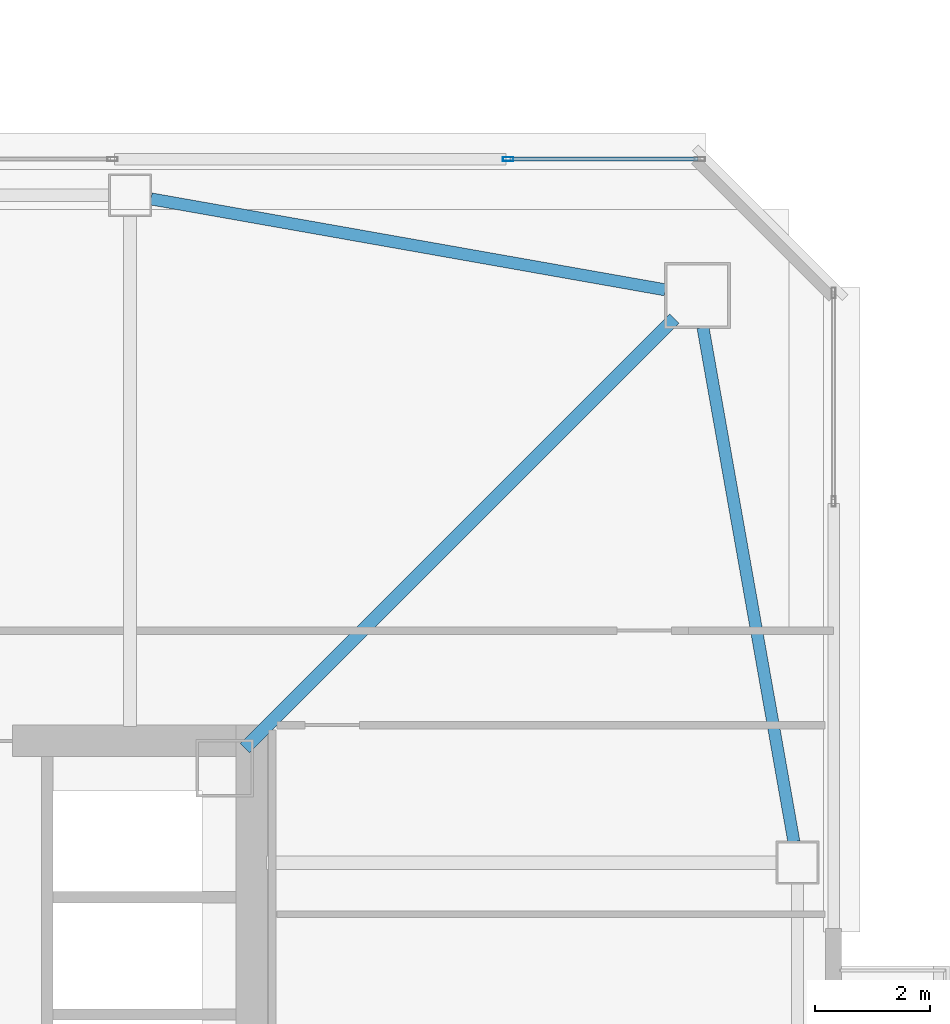
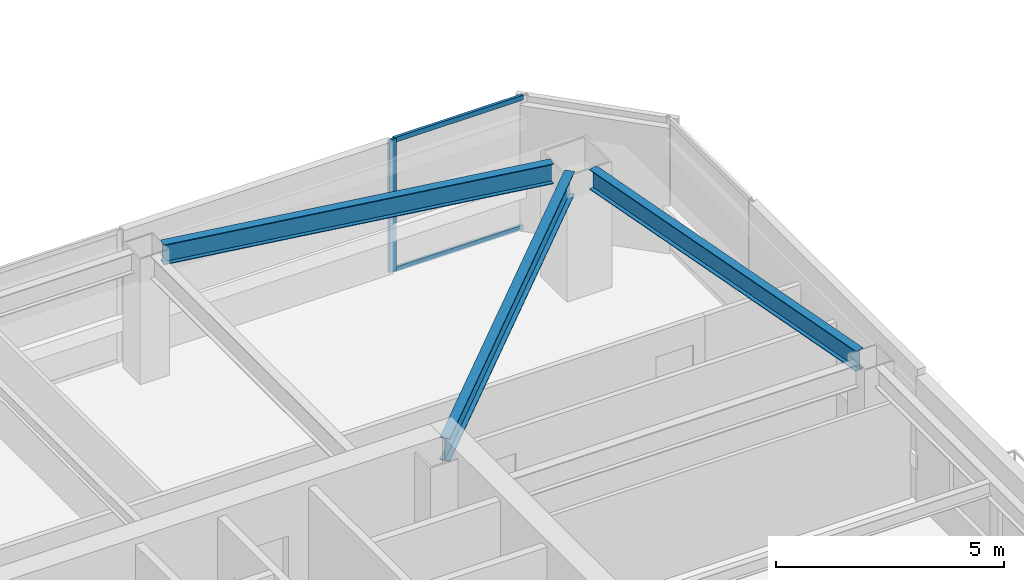
# One storey, part 13 of 41: 3 beams, 3 members, 1 element without a shape of its own.
"""IFC4 building model written with IfcOpenShell, lengths in metres."""

from ifc_helpers import new_model, si_unit, direction, frame, origin, origin_2d, place, context, subcontext, project, spatial, hollow_rectangle, i_section, extrude, material, material_profile, profile_set, type_object, element, aggregate, save


model = new_model("IFC4")

# Units and contexts
model_context = context("Model", 3, precision=1e-05, world=origin(), true_north=direction((0.0, 1.0)))
body_context = subcontext(model_context, "Body", "Model", "MODEL_VIEW")
ifc_project = project(units=[si_unit("LENGTHUNIT", "METRE"), si_unit("AREAUNIT", "SQUARE_METRE"), si_unit("VOLUMEUNIT", "CUBIC_METRE"), si_unit("PLANEANGLEUNIT", "RADIAN"), si_unit("MASSUNIT", "GRAM", prefix="KILO")], contexts=[model_context])

# Site, building, storey
site_placement = place(None, origin())
site = spatial("IfcSite", under=ifc_project, at=site_placement, CompositionType="ELEMENT")
building_placement = place(site_placement, origin())
building = spatial("IfcBuilding", under=site, at=building_placement, Name="Tashvorn Skyway Center", CompositionType="ELEMENT")
storey_placement = place(building_placement, frame((0.0, 0.0, 174.75)))
storey = spatial("IfcBuildingStorey", under=building, at=storey_placement, Name="L47", CompositionType="ELEMENT", Elevation=174.75)

# Beams
ifc_material_1 = material(Name="Steel ASTM A992 Grade 50", Category="steel")
ifc_material_profile_1 = material_profile(ifc_material_1, i_section(OverallWidth=0.22998046875, OverallDepth=0.616943359375, WebThickness=0.01318359375, FlangeThickness=0.022216796875, at=origin_2d()), Name="W24X94")
ifc_profile_set_1 = profile_set([ifc_material_profile_1], Name="Steel ASTM A992 Grade 50")
beam_type_1 = type_object("IfcBeamType", Name="BM-BEAM-W24X94", PredefinedType="BEAM", material=ifc_profile_set_1)
beam_placement = place(storey_placement, frame((56.89697265625, 46.89697265625, 3.0615234375), z_axis=(-0.707106781187, -0.707106781187, 0.0), x_axis=(0.707106781187, -0.707106781187, 0.0)))
element("IfcBeam", 1, at=beam_placement, inside=storey, type_object=beam_type_1, Name="Tower 1 L47 Primary Floor Girder MC-NE", PredefinedType="BEAM", context=body_context, shape_type="SweptSolid", body=[
    extrude(i_section(OverallWidth=0.22998046875, OverallDepth=0.616943359375, WebThickness=0.01318359375, FlangeThickness=0.022216796875, at=origin_2d()), origin(), (0.0, 0.0, 1.0), 10.6025390625),
])
ifc_material_profile_2 = material_profile(ifc_material_1, i_section(OverallWidth=0.2109375, OverallDepth=0.5390625, WebThickness=0.01171875, FlangeThickness=0.018798828125, at=origin_2d()), Name="W21X73")
ifc_profile_set_2 = profile_set([ifc_material_profile_2], Name="Steel ASTM A992 Grade 50")
beam_type_2 = type_object("IfcBeamType", Name="BM-SPANDREL-W21X73", PredefinedType="SPANDREL", material=ifc_profile_set_2)
for number, where, z_axis, x_axis, name in (
    (2, (58.985595703125, 37.764404296875, 3.1005859375), (-0.174074160933, 0.984732545667, 0.0), (-0.984732545667, -0.174074160933, 0.0), "Tower 1 L47 Spandrel Beam 06"),
    (3, (56.73876953125, 47.399169921875, 3.1005859375), (-0.984732545667, 0.174074160933, 0.0), (-0.174074160933, -0.984732545667, 0.0), "Tower 1 L47 Spandrel Beam 07"),
):
    element("IfcBeam", number, at=place(storey_placement, frame(where, z_axis=z_axis, x_axis=x_axis)), inside=storey, type_object=beam_type_2, Name=name, PredefinedType="SPANDREL", context=body_context, shape_type="SweptSolid", body=[
        extrude(i_section(OverallWidth=0.2109375, OverallDepth=0.5390625, WebThickness=0.01171875, FlangeThickness=0.018798828125, at=origin_2d()), origin(), (0.0, 0.0, 1.0), 9.113525390625),
    ])

# Curtain wall, members
ifc_material_2 = material(Name="Thermally broken bronze-anodized aluminium 6063-T6", Category="aluminium")
curtain_wall_type = type_object("IfcCurtainWallType", Name="CW-CW-Z4", PredefinedType="NOTDEFINED", material=ifc_material_2)
curtain_wall_placement = place(storey_placement, origin())
curtain_wall = element("IfcCurtainWall", 4, at=curtain_wall_placement, inside=storey, type_object=curtain_wall_type, Name="Tower 1 L47 North Unitised Curtain Wall Glazing Group 3", PredefinedType="NOTDEFINED")
ifc_material_profile_3 = material_profile(ifc_material_2, hollow_rectangle(XDim=0.070068359375, YDim=0.179931640625, WallThickness=0.00390625, at=origin_2d()), Name="ALU-MULL-70x180")
ifc_profile_set_3 = profile_set([ifc_material_profile_3], Name="Thermally broken bronze-anodized aluminium 6063-T6")
member_type_1 = type_object("IfcMemberType", Name="CWM-CW-Z4", PredefinedType="MULLION", material=ifc_profile_set_3)
member_1_placement = place(storey_placement, frame((53.997314453125, 49.679931640625, 0.0), z_axis=(0.0, 0.0, 1.0), x_axis=(0.0, 1.0, 0.0)))
member_1 = element("IfcMember", 5, at=member_1_placement, type_object=member_type_1, Name="CW-Z4 mullion 1", PredefinedType="MULLION", context=body_context, shape_type="SweptSolid", body=[
    extrude(hollow_rectangle(XDim=0.070068359375, YDim=0.179931640625, WallThickness=0.00390625, at=origin_2d()), origin(), (0.0, 0.0, 1.0), 3.550048828125),
])
ifc_material_profile_4 = material_profile(ifc_material_2, hollow_rectangle(XDim=0.070068359375, YDim=0.1298828125, WallThickness=0.00390625, at=origin_2d()), Name="ALU-TRAN-70x130")
ifc_profile_set_4 = profile_set([ifc_material_profile_4], Name="Thermally broken bronze-anodized aluminium 6063-T6")
member_type_2 = type_object("IfcMemberType", Name="CWT-CW-Z4", PredefinedType="USERDEFINED", material=ifc_profile_set_4)
member_2_placement = place(storey_placement, frame((54.0322265625, 49.679931640625, 0.034912109375), z_axis=(1.0, 0.0, 0.0), x_axis=(0.0, 1.0, 0.0)))
member_2 = element("IfcMember", 6, at=member_2_placement, type_object=member_type_2, Name="CW-Z4 transom 1.1", ObjectType="TRANSOM", PredefinedType="USERDEFINED", context=body_context, shape_type="SweptSolid", body=[
    extrude(hollow_rectangle(XDim=0.070068359375, YDim=0.1298828125, WallThickness=0.00390625, at=origin_2d()), origin(), (0.0, 0.0, 1.0), 3.27783203125),
])
member_3_placement = place(storey_placement, frame((54.0322265625, 49.679931640625, 3.514892578125), z_axis=(1.0, 0.0, 0.0), x_axis=(0.0, 1.0, 0.0)))
member_3 = element("IfcMember", 7, at=member_3_placement, type_object=member_type_2, Name="CW-Z4 transom 1.2", ObjectType="TRANSOM", PredefinedType="USERDEFINED", context=body_context, shape_type="SweptSolid", body=[
    extrude(hollow_rectangle(XDim=0.070068359375, YDim=0.1298828125, WallThickness=0.00390625, at=origin_2d()), origin(), (0.0, 0.0, 1.0), 3.27783203125),
])
aggregate(curtain_wall, [member_1, member_2, member_3])

save(model, "model.ifc")
